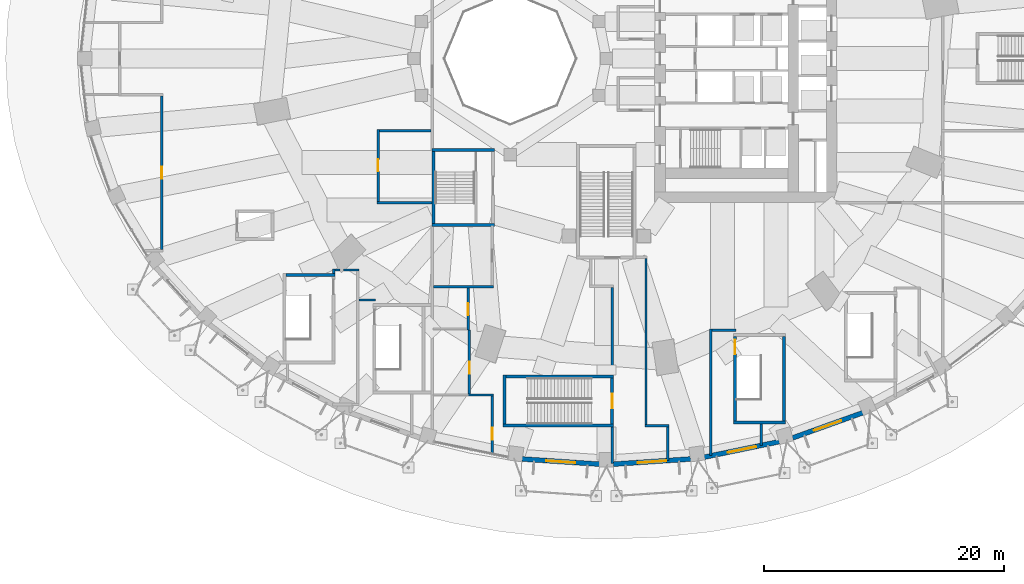
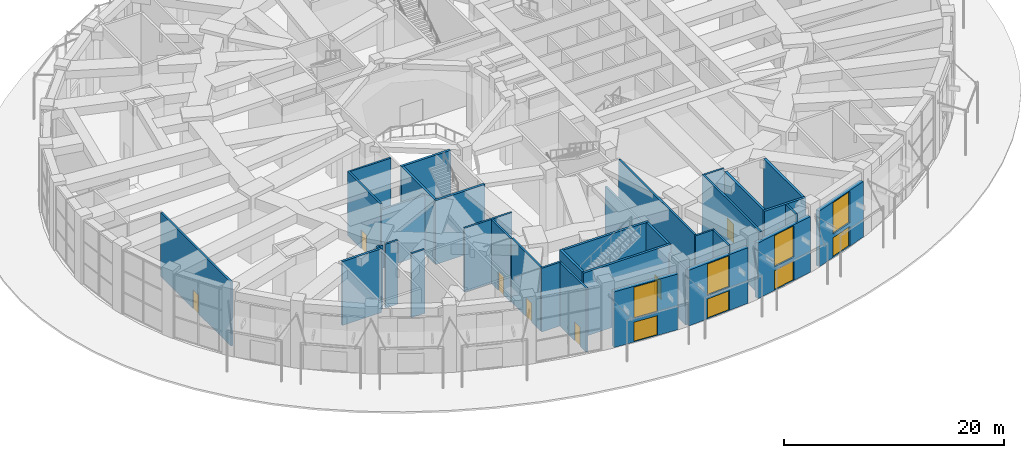
# One storey, part 34 of 60: 36 walls, 11 doors, 4 windows, 15 openings.
"""IFC4 building model written with IfcOpenShell, lengths in metres."""

from ifc_helpers import new_model, si_unit, direction, frame, frame_2d, origin, place, context, subcontext, project, spatial, rectangle, extrude, material, layer, layer_set, type_object, element, fill, save


model = new_model("IFC4")

# Units and contexts
model_context = context("Model", 3, precision=1e-05, world=origin(), true_north=direction((0.0, 1.0)))
body_context = subcontext(model_context, "Body", "Model", "MODEL_VIEW")
ifc_project = project(units=[si_unit("LENGTHUNIT", "METRE"), si_unit("AREAUNIT", "SQUARE_METRE"), si_unit("VOLUMEUNIT", "CUBIC_METRE"), si_unit("PLANEANGLEUNIT", "RADIAN"), si_unit("MASSUNIT", "GRAM", prefix="KILO")], contexts=[model_context])

# Site, building, storey
site_placement = place(None, origin())
site = spatial("IfcSite", under=ifc_project, at=site_placement, CompositionType="ELEMENT")
building_placement = place(site_placement, origin())
building = spatial("IfcBuilding", under=site, at=building_placement, Name="Taillehof Tower", CompositionType="ELEMENT")
storey_placement = place(building_placement, origin())
storey = spatial("IfcBuildingStorey", under=building, at=storey_placement, Name="L00", CompositionType="ELEMENT", Elevation=0.0)

# Wall, openings, door, window
ifc_material_1 = material(Name="Brick masonry", Category="masonry")
ifc_layer_1 = layer(ifc_material_1, 0.39990234375)
ifc_layer_set_1 = layer_set([ifc_layer_1], Name="Brick facade wall 400")
wall_type_1 = type_object("IfcWallType", Name="Brick facade wall 400", PredefinedType="SOLIDWALL", material=ifc_layer_set_1)
wall_1_placement = place(storey_placement, frame((-7.020263671875, -33.326904296875, 0.0), z_axis=(0.0, 0.0, 1.0), x_axis=(0.997740655275, -0.067183218234, 0.0)))
wall_1 = element("IfcWall", 1, at=wall_1_placement, inside=storey, type_object=wall_type_1, Name="Brick wall L00 bay 27", PredefinedType="SOLIDWALL", context=body_context, shape_type="SweptSolid", body=[
    extrude(rectangle(XDim=6.46484375, YDim=0.39990234375, at=frame_2d((3.232421875, 0.0))), origin(), (0.0, 0.0, 1.0), 6.18994140625),
])
opening_1_placement = place(wall_1_placement, frame((2.0322265625, 0.0, 0.0)))
opening_1 = element("IfcOpeningElement", 2, at=opening_1_placement, cuts=wall_1, Name="Opening E5", PredefinedType="OPENING", context=body_context, shape_type="SweptSolid", body=[
    extrude(rectangle(XDim=2.39990234375, YDim=2.199951171875, at=frame_2d((1.199951171875, 1.10009765625))), frame((0.0, 0.2099609375, 0.0), z_axis=(0.0, -1.0, 0.0), x_axis=(1.0, 0.0, 0.0)), (0.0, 0.0, 1.0), 0.419921875),
])
opening_2_placement = place(wall_1_placement, frame((2.0322265625, 0.0, 2.60009765625)))
opening_2 = element("IfcOpeningElement", 3, at=opening_2_placement, cuts=wall_1, Name="Opening FL1", PredefinedType="OPENING", context=body_context, shape_type="SweptSolid", body=[
    extrude(rectangle(XDim=2.39990234375, YDim=3.489990234375, at=frame_2d((1.199951171875, 1.7451171875))), frame((0.0, 0.2099609375, 0.0), z_axis=(0.0, -1.0, 0.0), x_axis=(1.0, 0.0, 0.0)), (0.0, 0.0, 1.0), 0.419921875),
])
ifc_material_2 = material(Name="Aluminium door frame with clear laminated safety glass", Category="aluminium")
door_type_1 = type_object("IfcDoorType", Name="Exit door 2400x2200", OperationType="DOUBLE_DOOR_DOUBLE_SWING", PredefinedType="DOOR", material=ifc_material_2)
door_1_placement = place(opening_1_placement, frame((2.39990234375, 0.0, 0.0), z_axis=(0.0, 0.0, 1.0), x_axis=(-1.0, 0.0, 0.0)))
door_1 = element("IfcDoor", 4, at=door_1_placement, inside=storey, type_object=door_type_1, Name="Door E5", OperationType="DOUBLE_DOOR_SINGLE_SWING", OverallHeight=2.199951171875, OverallWidth=2.39990234375, PredefinedType="DOOR", context=body_context, shape_type="SweptSolid", body=[
    extrude(rectangle(XDim=2.39990234375, YDim=2.199951171875, at=frame_2d((1.199951171875, 1.10009765625))), frame((0.0, 0.0498046875, 0.0), z_axis=(0.0, -1.0, 0.0), x_axis=(1.0, 0.0, 0.0)), (0.0, 0.0, 1.0), 0.050048828125),
])
fill(opening_1, door_1)
ifc_material_3 = material(Name="Aluminium window frame with clear laminated safety glass", Category="aluminium")
window_type = type_object("IfcWindowType", Name="Fixed fanlight 2400x3490", PartitioningType="SINGLE_PANEL", PredefinedType="WINDOW", material=ifc_material_3)
window_1_placement = place(opening_2_placement, origin())
window_1 = element("IfcWindow", 5, at=window_1_placement, inside=storey, type_object=window_type, Name="Fanlight over E5", OverallHeight=3.489990234375, OverallWidth=2.39990234375, PartitioningType="SINGLE_PANEL", PredefinedType="WINDOW", context=body_context, shape_type="SweptSolid", body=[
    extrude(rectangle(XDim=2.39990234375, YDim=3.489990234375, at=frame_2d((1.199951171875, 1.7451171875))), frame((0.0, 0.010009765625, 0.0), z_axis=(0.0, -1.0, 0.0), x_axis=(1.0, 0.0, 0.0)), (0.0, 0.0, 1.0), 0.06005859375),
])
fill(opening_2, window_1)

wall_2_placement = place(storey_placement, frame((0.570068359375, -33.76123046875, 0.0), z_axis=(0.0, 0.0, 1.0), x_axis=(0.997740655275, 0.067183218234, 0.0)))
wall_2 = element("IfcWall", 6, at=wall_2_placement, inside=storey, type_object=wall_type_1, Name="Brick wall L00 bay 28", PredefinedType="SOLIDWALL", context=body_context, shape_type="SweptSolid", body=[
    extrude(rectangle(XDim=6.46484375, YDim=0.39990234375, at=frame_2d((3.232421875, 0.0))), origin(), (0.0, 0.0, 1.0), 6.18994140625),
])
opening_3_placement = place(wall_2_placement, frame((2.032470703125, 0.0, 0.0)))
opening_3 = element("IfcOpeningElement", 7, at=opening_3_placement, cuts=wall_2, Name="Opening E6", PredefinedType="OPENING", context=body_context, shape_type="SweptSolid", body=[
    extrude(rectangle(XDim=2.39990234375, YDim=2.199951171875, at=frame_2d((1.199951171875, 1.10009765625))), frame((0.0, 0.2099609375, 0.0), z_axis=(0.0, -1.0, 0.0), x_axis=(1.0, 0.0, 0.0)), (0.0, 0.0, 1.0), 0.419921875),
])
opening_4_placement = place(wall_2_placement, frame((2.032470703125, 0.0, 2.60009765625)))
opening_4 = element("IfcOpeningElement", 8, at=opening_4_placement, cuts=wall_2, Name="Opening FL1", PredefinedType="OPENING", context=body_context, shape_type="SweptSolid", body=[
    extrude(rectangle(XDim=2.39990234375, YDim=3.489990234375, at=frame_2d((1.199951171875, 1.7451171875))), frame((0.0, 0.2099609375, 0.0), z_axis=(0.0, -1.0, 0.0), x_axis=(1.0, 0.0, 0.0)), (0.0, 0.0, 1.0), 0.419921875),
])
door_2_placement = place(opening_3_placement, frame((2.39990234375, 0.0, 0.0), z_axis=(0.0, 0.0, 1.0), x_axis=(-1.0, 0.0, 0.0)))
door_2 = element("IfcDoor", 9, at=door_2_placement, inside=storey, type_object=door_type_1, Name="Door E6", OperationType="DOUBLE_DOOR_SINGLE_SWING", OverallHeight=2.199951171875, OverallWidth=2.39990234375, PredefinedType="DOOR", context=body_context, shape_type="SweptSolid", body=[
    extrude(rectangle(XDim=2.39990234375, YDim=2.199951171875, at=frame_2d((1.199951171875, 1.10009765625))), frame((0.0, 0.0498046875, 0.0), z_axis=(0.0, -1.0, 0.0), x_axis=(1.0, 0.0, 0.0)), (0.0, 0.0, 1.0), 0.050048828125),
])
fill(opening_3, door_2)
window_2_placement = place(opening_4_placement, origin())
window_2 = element("IfcWindow", 10, at=window_2_placement, inside=storey, type_object=window_type, Name="Fanlight over E6", OverallHeight=3.489990234375, OverallWidth=2.39990234375, PartitioningType="SINGLE_PANEL", PredefinedType="WINDOW", context=body_context, shape_type="SweptSolid", body=[
    extrude(rectangle(XDim=2.39990234375, YDim=3.489990234375, at=frame_2d((1.199951171875, 1.7451171875))), frame((0.0, 0.010009765625, 0.0), z_axis=(0.0, -1.0, 0.0), x_axis=(1.0, 0.0, 0.0)), (0.0, 0.0, 1.0), 0.06005859375),
])
fill(opening_4, window_2)

wall_3_placement = place(storey_placement, frame((8.14990234375, -33.173095703125, 0.0), z_axis=(0.0, 0.0, 1.0), x_axis=(0.979388896242, 0.201983637746, 0.0)))
wall_3 = element("IfcWall", 11, at=wall_3_placement, inside=storey, type_object=wall_type_1, Name="Brick wall L00 bay 29", PredefinedType="SOLIDWALL", context=body_context, shape_type="SweptSolid", body=[
    extrude(rectangle(XDim=6.37353515625, YDim=0.39990234375, at=frame_2d((3.186767578125, 0.0))), origin(), (0.0, 0.0, 1.0), 6.18994140625),
])
opening_5_placement = place(wall_3_placement, frame((1.98681640625, 0.0, 0.0)))
opening_5 = element("IfcOpeningElement", 12, at=opening_5_placement, cuts=wall_3, Name="Opening E7", PredefinedType="OPENING", context=body_context, shape_type="SweptSolid", body=[
    extrude(rectangle(XDim=2.39990234375, YDim=2.199951171875, at=frame_2d((1.199951171875, 1.10009765625))), frame((0.0, 0.2099609375, 0.0), z_axis=(0.0, -1.0, 0.0), x_axis=(1.0, 0.0, 0.0)), (0.0, 0.0, 1.0), 0.419921875),
])
opening_6_placement = place(wall_3_placement, frame((1.98681640625, 0.0, 2.60009765625)))
opening_6 = element("IfcOpeningElement", 13, at=opening_6_placement, cuts=wall_3, Name="Opening FL1", PredefinedType="OPENING", context=body_context, shape_type="SweptSolid", body=[
    extrude(rectangle(XDim=2.39990234375, YDim=3.489990234375, at=frame_2d((1.199951171875, 1.7451171875))), frame((0.0, 0.2099609375, 0.0), z_axis=(0.0, -1.0, 0.0), x_axis=(1.0, 0.0, 0.0)), (0.0, 0.0, 1.0), 0.419921875),
])
door_3_placement = place(opening_5_placement, frame((2.39990234375, 0.0, 0.0), z_axis=(0.0, 0.0, 1.0), x_axis=(-1.0, 0.0, 0.0)))
door_3 = element("IfcDoor", 14, at=door_3_placement, inside=storey, type_object=door_type_1, Name="Door E7", OperationType="DOUBLE_DOOR_SINGLE_SWING", OverallHeight=2.199951171875, OverallWidth=2.39990234375, PredefinedType="DOOR", context=body_context, shape_type="SweptSolid", body=[
    extrude(rectangle(XDim=2.39990234375, YDim=2.199951171875, at=frame_2d((1.199951171875, 1.10009765625))), frame((0.0, 0.0498046875, 0.0), z_axis=(0.0, -1.0, 0.0), x_axis=(1.0, 0.0, 0.0)), (0.0, 0.0, 1.0), 0.050048828125),
])
fill(opening_5, door_3)
window_3_placement = place(opening_6_placement, origin())
window_3 = element("IfcWindow", 15, at=window_3_placement, inside=storey, type_object=window_type, Name="Fanlight over E7", OverallHeight=3.489990234375, OverallWidth=2.39990234375, PartitioningType="SINGLE_PANEL", PredefinedType="WINDOW", context=body_context, shape_type="SweptSolid", body=[
    extrude(rectangle(XDim=2.39990234375, YDim=3.489990234375, at=frame_2d((1.199951171875, 1.7451171875))), frame((0.0, 0.010009765625, 0.0), z_axis=(0.0, -1.0, 0.0), x_axis=(1.0, 0.0, 0.0)), (0.0, 0.0, 1.0), 0.06005859375),
])
fill(opening_6, window_3)

wall_4_placement = place(storey_placement, frame((15.48974609375, -31.5771484375, 0.0), z_axis=(0.0, 0.0, 1.0), x_axis=(0.941225814421, 0.337777983694, 0.0)))
wall_4 = element("IfcWall", 16, at=wall_4_placement, inside=storey, type_object=wall_type_1, Name="Brick wall L00 bay 30", PredefinedType="SOLIDWALL", context=body_context, shape_type="SweptSolid", body=[
    extrude(rectangle(XDim=6.19921875, YDim=0.39990234375, at=frame_2d((3.099609375, 0.0))), origin(), (0.0, 0.0, 1.0), 6.18994140625),
])
opening_7_placement = place(wall_4_placement, frame((1.899658203125, 0.0, 0.0)))
opening_7 = element("IfcOpeningElement", 17, at=opening_7_placement, cuts=wall_4, Name="Opening E8", PredefinedType="OPENING", context=body_context, shape_type="SweptSolid", body=[
    extrude(rectangle(XDim=2.39990234375, YDim=2.199951171875, at=frame_2d((1.199951171875, 1.10009765625))), frame((0.0, 0.2099609375, 0.0), z_axis=(0.0, -1.0, 0.0), x_axis=(1.0, 0.0, 0.0)), (0.0, 0.0, 1.0), 0.419921875),
])
opening_8_placement = place(wall_4_placement, frame((1.899658203125, 0.0, 2.60009765625)))
opening_8 = element("IfcOpeningElement", 18, at=opening_8_placement, cuts=wall_4, Name="Opening FL1", PredefinedType="OPENING", context=body_context, shape_type="SweptSolid", body=[
    extrude(rectangle(XDim=2.39990234375, YDim=3.489990234375, at=frame_2d((1.199951171875, 1.7451171875))), frame((0.0, 0.2099609375, 0.0), z_axis=(0.0, -1.0, 0.0), x_axis=(1.0, 0.0, 0.0)), (0.0, 0.0, 1.0), 0.419921875),
])
door_4_placement = place(opening_7_placement, frame((2.39990234375, 0.0, 0.0), z_axis=(0.0, 0.0, 1.0), x_axis=(-1.0, 0.0, 0.0)))
door_4 = element("IfcDoor", 19, at=door_4_placement, inside=storey, type_object=door_type_1, Name="Door E8", OperationType="DOUBLE_DOOR_SINGLE_SWING", OverallHeight=2.199951171875, OverallWidth=2.39990234375, PredefinedType="DOOR", context=body_context, shape_type="SweptSolid", body=[
    extrude(rectangle(XDim=2.39990234375, YDim=2.199951171875, at=frame_2d((1.199951171875, 1.10009765625))), frame((0.0, 0.0498046875, 0.0), z_axis=(0.0, -1.0, 0.0), x_axis=(1.0, 0.0, 0.0)), (0.0, 0.0, 1.0), 0.050048828125),
])
fill(opening_7, door_4)
window_4_placement = place(opening_8_placement, origin())
window_4 = element("IfcWindow", 20, at=window_4_placement, inside=storey, type_object=window_type, Name="Fanlight over E8", OverallHeight=3.489990234375, OverallWidth=2.39990234375, PartitioningType="SINGLE_PANEL", PredefinedType="WINDOW", context=body_context, shape_type="SweptSolid", body=[
    extrude(rectangle(XDim=2.39990234375, YDim=3.489990234375, at=frame_2d((1.199951171875, 1.7451171875))), frame((0.0, 0.010009765625, 0.0), z_axis=(0.0, -1.0, 0.0), x_axis=(1.0, 0.0, 0.0)), (0.0, 0.0, 1.0), 0.06005859375),
])
fill(opening_8, window_4)

# Walls
ifc_material_4 = material(Name="Calcium silicate blockwork", Category="masonry")
ifc_layer_2 = layer(ifc_material_4, 0.199951171875)
ifc_layer_set_2 = layer_set([ifc_layer_2], Name="Compartment wall EI 60 200 mm")
wall_type_2 = type_object("IfcWallType", Name="Compartment wall EI 60 200 mm", PredefinedType="PARTITIONING", material=ifc_layer_set_2)
wall_5_placement = place(storey_placement, frame((3.199951171875, -30.550048828125, 0.0), z_axis=(0.0, 0.0, 1.0), x_axis=(1.0, 0.0, 0.0)))
element("IfcWall", 21, at=wall_5_placement, inside=storey, type_object=wall_type_2, Name="Wall L00-34 / L00-36", PredefinedType="PARTITIONING", context=body_context, shape_type="SweptSolid", body=[
    extrude(rectangle(XDim=2.0, YDim=0.199951171875, at=frame_2d((1.0, 0.0))), origin(), (0.0, 0.0, 1.0), 7.090087890625),
])
wall_6_placement = place(storey_placement, frame((-11.5, -28.0, 0.0), z_axis=(0.0, 0.0, 1.0), x_axis=(1.0, 0.0, 0.0)))
element("IfcWall", 22, at=wall_6_placement, inside=storey, type_object=wall_type_2, Name="Wall L00-26 / L00-36", PredefinedType="PARTITIONING", context=body_context, shape_type="SweptSolid", body=[
    extrude(rectangle(XDim=2.10009765625, YDim=0.199951171875, at=frame_2d((1.050048828125, 0.0))), origin(), (0.0, 0.0, 1.0), 7.090087890625),
])
wall_7_placement = place(storey_placement, frame((8.800048828125, -22.60009765625, 0.0), z_axis=(0.0, 0.0, 1.0), x_axis=(1.0, 0.0, 0.0)))
element("IfcWall", 23, at=wall_7_placement, inside=storey, type_object=wall_type_2, Name="Wall L00-36 / L00-41", PredefinedType="PARTITIONING", context=body_context, shape_type="SweptSolid", body=[
    extrude(rectangle(XDim=2.0, YDim=0.199951171875, at=frame_2d((1.0, 0.0))), origin(), (0.0, 0.0, 1.0), 7.090087890625),
])
wall_8_placement = place(storey_placement, frame((-20.60009765625, -20.10009765625, 0.0), z_axis=(0.0, 0.0, 1.0), x_axis=(1.0, 0.0, 0.0)))
element("IfcWall", 24, at=wall_8_placement, inside=storey, type_object=wall_type_2, Name="Wall L00-35 / L00-42", PredefinedType="PARTITIONING", context=body_context, shape_type="SweptSolid", body=[
    extrude(rectangle(XDim=1.400146484375, YDim=0.199951171875, at=frame_2d((0.7001953125, 0.0))), origin(), (0.0, 0.0, 1.0), 7.090087890625),
])
wall_9_placement = place(storey_placement, frame((-14.39990234375, -19.0, 0.0), z_axis=(0.0, 0.0, 1.0), x_axis=(1.0, 0.0, 0.0)))
element("IfcWall", 25, at=wall_9_placement, inside=storey, type_object=wall_type_2, Name="Wall L00-21 / L00-24", PredefinedType="PARTITIONING", context=body_context, shape_type="SweptSolid", body=[
    extrude(rectangle(XDim=5.0, YDim=0.199951171875, at=frame_2d((2.5, 0.0))), origin(), (0.0, 0.0, 1.0), 7.090087890625),
])
wall_10_placement = place(storey_placement, frame((-22.60009765625, -17.60009765625, 0.0), z_axis=(0.0, 0.0, 1.0), x_axis=(1.0, 0.0, 0.0)))
element("IfcWall", 26, at=wall_10_placement, inside=storey, type_object=wall_type_2, Name="Wall L00-35 / L00-39", PredefinedType="PARTITIONING", context=body_context, shape_type="SweptSolid", body=[
    extrude(rectangle(XDim=0.419921875, YDim=0.199951171875, at=frame_2d((0.2099609375, 0.0))), origin(), (0.0, 0.0, 1.0), 7.090087890625),
])
wall_11_placement = place(storey_placement, frame((-21.88720703125, -17.60009765625, 0.0), z_axis=(0.0, 0.0, 1.0), x_axis=(1.0, 0.0, 0.0)))
element("IfcWall", 27, at=wall_11_placement, inside=storey, type_object=wall_type_2, Name="Wall L00-35 / L00-39", PredefinedType="PARTITIONING", context=body_context, shape_type="SweptSolid", body=[
    extrude(rectangle(XDim=1.287109375, YDim=0.199951171875, at=frame_2d((0.6435546875, 0.0))), origin(), (0.0, 0.0, 1.0), 7.090087890625),
])
wall_12_placement = place(storey_placement, frame((-19.10009765625, -12.0, 0.0), z_axis=(0.0, 0.0, 1.0), x_axis=(1.0, 0.0, 0.0)))
element("IfcWall", 28, at=wall_12_placement, inside=storey, type_object=wall_type_2, Name="Wall L00-19 / L00-35", PredefinedType="PARTITIONING", context=body_context, shape_type="SweptSolid", body=[
    extrude(rectangle(XDim=4.60205078125, YDim=0.199951171875, at=frame_2d((2.301025390625, 0.0))), origin(), (0.0, 0.0, 1.0), 6.5400390625),
])
wall_13_placement = place(storey_placement, frame((-18.89990234375, -6.0, 0.0), z_axis=(0.0, 0.0, 1.0), x_axis=(1.0, 0.0, 0.0)))
element("IfcWall", 29, at=wall_13_placement, inside=storey, type_object=wall_type_2, Name="Wall L00-19 / L00-35", PredefinedType="PARTITIONING", context=body_context, shape_type="SweptSolid", body=[
    extrude(rectangle(XDim=4.2998046875, YDim=0.199951171875, at=frame_2d((2.14990234375, 0.0))), origin(), (0.0, 0.0, 1.0), 7.090087890625),
])

# Wall, opening, door
wall_14_placement = place(storey_placement, frame((-37.0, -15.89990234375, 0.0), z_axis=(0.0, 0.0, 1.0), x_axis=(0.0, 1.0, 0.0)))
wall_14 = element("IfcWall", 30, at=wall_14_placement, inside=storey, type_object=wall_type_2, Name="Wall L00-16 / L00-35", PredefinedType="PARTITIONING", context=body_context, shape_type="SweptSolid", body=[
    extrude(rectangle(XDim=12.7998046875, YDim=0.199951171875, at=frame_2d((6.39990234375, 0.0))), origin(), (0.0, 0.0, 1.0), 7.090087890625),
])
opening_9_placement = place(wall_14_placement, frame((5.89990234375, 0.0, 0.0)))
opening_9 = element("IfcOpeningElement", 31, at=opening_9_placement, cuts=wall_14, Name="Opening D0055", PredefinedType="OPENING", context=body_context, shape_type="SweptSolid", body=[
    extrude(rectangle(XDim=1.0, YDim=2.10009765625, at=frame_2d((0.5, 1.050048828125))), frame((0.0, 0.10986328125, 0.0), z_axis=(0.0, -1.0, 0.0), x_axis=(1.0, 0.0, 0.0)), (0.0, 0.0, 1.0), 0.219970703125),
])
ifc_material_5 = material(Name="Hollow metal door set")
door_type_2 = type_object("IfcDoorType", Name="Single door 1000 x 2100 FD60S", OperationType="SINGLE_SWING_LEFT", PredefinedType="DOOR", material=ifc_material_5)
door_5_placement = place(opening_9_placement, origin())
door_5 = element("IfcDoor", 32, at=door_5_placement, inside=storey, type_object=door_type_2, Name="Door D0055", OperationType="SINGLE_SWING_RIGHT", OverallHeight=2.10009765625, OverallWidth=1.0, PredefinedType="DOOR", context=body_context, shape_type="SweptSolid", body=[
    extrude(rectangle(XDim=1.0, YDim=2.10009765625, at=frame_2d((0.5, 1.050048828125))), frame((0.0, 0.02490234375, 0.0), z_axis=(0.0, -1.0, 0.0), x_axis=(1.0, 0.0, 0.0)), (0.0, 0.0, 1.0), 0.050048828125),
])
fill(opening_9, door_5)

# Wall
wall_15_placement = place(storey_placement, frame((-22.699951171875, -17.875, 0.0), z_axis=(0.0, 0.0, 1.0), x_axis=(0.0, 1.0, 0.0)))
element("IfcWall", 33, at=wall_15_placement, inside=storey, type_object=wall_type_2, Name="Wall L00-35 / L00-39", PredefinedType="PARTITIONING", context=body_context, shape_type="SweptSolid", body=[
    extrude(rectangle(XDim=0.375, YDim=0.199951171875, at=frame_2d((0.1875, 0.0))), origin(), (0.0, 0.0, 1.0), 7.090087890625),
])

# Wall, opening, door
wall_16_placement = place(storey_placement, frame((-19.0, -11.89990234375, 0.0), z_axis=(0.0, 0.0, 1.0), x_axis=(0.0, 1.0, 0.0)))
wall_16 = element("IfcWall", 34, at=wall_16_placement, inside=storey, type_object=wall_type_2, Name="Wall L00-19 / L00-35", PredefinedType="PARTITIONING", context=body_context, shape_type="SweptSolid", body=[
    extrude(rectangle(XDim=6.0, YDim=0.199951171875, at=frame_2d((3.0, 0.0))), origin(), (0.0, 0.0, 1.0), 7.090087890625),
])
opening_10_placement = place(wall_16_placement, frame((2.5, 0.0, 0.0)))
opening_10 = element("IfcOpeningElement", 35, at=opening_10_placement, cuts=wall_16, Name="Opening D0056", PredefinedType="OPENING", context=body_context, shape_type="SweptSolid", body=[
    extrude(rectangle(XDim=1.0, YDim=2.10009765625, at=frame_2d((0.5, 1.050048828125))), frame((0.0, 0.10986328125, 0.0), z_axis=(0.0, -1.0, 0.0), x_axis=(1.0, 0.0, 0.0)), (0.0, 0.0, 1.0), 0.219970703125),
])
door_6_placement = place(opening_10_placement, origin())
door_6 = element("IfcDoor", 36, at=door_6_placement, inside=storey, type_object=door_type_2, Name="Door D0056", OperationType="SINGLE_SWING_LEFT", OverallHeight=2.10009765625, OverallWidth=1.0, PredefinedType="DOOR", context=body_context, shape_type="SweptSolid", body=[
    extrude(rectangle(XDim=1.0, YDim=2.10009765625, at=frame_2d((0.5, 1.050048828125))), frame((0.0, 0.02490234375, 0.0), z_axis=(0.0, -1.0, 0.0), x_axis=(1.0, 0.0, 0.0)), (0.0, 0.0, 1.0), 0.050048828125),
])
fill(opening_10, door_6)

wall_17_placement = place(storey_placement, frame((-11.5, -22.60009765625, 0.0), z_axis=(0.0, 0.0, 1.0), x_axis=(0.0, 1.0, 0.0)))
wall_17 = element("IfcWall", 37, at=wall_17_placement, inside=storey, type_object=wall_type_2, Name="Wall L00-24 / L00-36", PredefinedType="PARTITIONING", context=body_context, shape_type="SweptSolid", body=[
    extrude(rectangle(XDim=3.5, YDim=0.199951171875, at=frame_2d((1.75, 0.0))), origin(), (0.0, 0.0, 1.0), 7.090087890625),
])
opening_11_placement = place(wall_17_placement, frame((1.25, 0.0, 0.0)))
opening_11 = element("IfcOpeningElement", 38, at=opening_11_placement, cuts=wall_17, Name="Opening D0046", PredefinedType="OPENING", context=body_context, shape_type="SweptSolid", body=[
    extrude(rectangle(XDim=1.0, YDim=2.10009765625, at=frame_2d((0.5, 1.050048828125))), frame((0.0, 0.10986328125, 0.0), z_axis=(0.0, -1.0, 0.0), x_axis=(1.0, 0.0, 0.0)), (0.0, 0.0, 1.0), 0.219970703125),
])
door_7_placement = place(opening_11_placement, origin())
door_7 = element("IfcDoor", 39, at=door_7_placement, inside=storey, type_object=door_type_2, Name="Door D0046", OperationType="SINGLE_SWING_LEFT", OverallHeight=2.10009765625, OverallWidth=1.0, PredefinedType="DOOR", context=body_context, shape_type="SweptSolid", body=[
    extrude(rectangle(XDim=1.0, YDim=2.10009765625, at=frame_2d((0.5, 1.050048828125))), frame((0.0, 0.02490234375, 0.0), z_axis=(0.0, -1.0, 0.0), x_axis=(1.0, 0.0, 0.0)), (0.0, 0.0, 1.0), 0.050048828125),
])
fill(opening_11, door_7)

wall_18_placement = place(storey_placement, frame((-11.39990234375, -27.89990234375, 0.0), z_axis=(0.0, 0.0, 1.0), x_axis=(0.0, 1.0, 0.0)))
wall_18 = element("IfcWall", 40, at=wall_18_placement, inside=storey, type_object=wall_type_2, Name="Wall L00-25 / L00-36", PredefinedType="PARTITIONING", context=body_context, shape_type="SweptSolid", body=[
    extrude(rectangle(XDim=5.2998046875, YDim=0.199951171875, at=frame_2d((2.64990234375, 0.0))), origin(), (0.0, 0.0, 1.0), 7.090087890625),
])
opening_12_placement = place(wall_18_placement, frame((1.64990234375, 0.0, 0.0)))
opening_12 = element("IfcOpeningElement", 41, at=opening_12_placement, cuts=wall_18, Name="Opening D0043", PredefinedType="OPENING", context=body_context, shape_type="SweptSolid", body=[
    extrude(rectangle(XDim=1.0, YDim=2.10009765625, at=frame_2d((0.5, 1.050048828125))), frame((0.0, 0.10986328125, 0.0), z_axis=(0.0, -1.0, 0.0), x_axis=(1.0, 0.0, 0.0)), (0.0, 0.0, 1.0), 0.219970703125),
])
door_8_placement = place(opening_12_placement, origin())
door_8 = element("IfcDoor", 42, at=door_8_placement, inside=storey, type_object=door_type_2, Name="Door D0043", OperationType="SINGLE_SWING_LEFT", OverallHeight=2.10009765625, OverallWidth=1.0, PredefinedType="DOOR", context=body_context, shape_type="SweptSolid", body=[
    extrude(rectangle(XDim=1.0, YDim=2.10009765625, at=frame_2d((0.5, 1.050048828125))), frame((0.0, 0.02490234375, 0.0), z_axis=(0.0, -1.0, 0.0), x_axis=(1.0, 0.0, 0.0)), (0.0, 0.0, 1.0), 0.050048828125),
])
fill(opening_12, door_8)

wall_19_placement = place(storey_placement, frame((-9.5, -32.880615234375, 0.0), z_axis=(0.0, 0.0, 1.0), x_axis=(0.0, 1.0, 0.0)))
wall_19 = element("IfcWall", 43, at=wall_19_placement, inside=storey, type_object=wall_type_2, Name="Wall L00-26 / L00-36", PredefinedType="PARTITIONING", context=body_context, shape_type="SweptSolid", body=[
    extrude(rectangle(XDim=4.780517578125, YDim=0.199951171875, at=frame_2d((2.39013671875, 0.0))), origin(), (0.0, 0.0, 1.0), 7.090087890625),
])
opening_13_placement = place(wall_19_placement, frame((1.140380859375, 0.0, 0.0)))
opening_13 = element("IfcOpeningElement", 44, at=opening_13_placement, cuts=wall_19, Name="Opening D0041", PredefinedType="OPENING", context=body_context, shape_type="SweptSolid", body=[
    extrude(rectangle(XDim=1.0, YDim=2.10009765625, at=frame_2d((0.5, 1.050048828125))), frame((0.0, 0.10986328125, 0.0), z_axis=(0.0, -1.0, 0.0), x_axis=(1.0, 0.0, 0.0)), (0.0, 0.0, 1.0), 0.219970703125),
])
door_9_placement = place(opening_13_placement, origin())
door_9 = element("IfcDoor", 45, at=door_9_placement, inside=storey, type_object=door_type_2, Name="Door D0041", OperationType="SINGLE_SWING_RIGHT", OverallHeight=2.10009765625, OverallWidth=1.0, PredefinedType="DOOR", context=body_context, shape_type="SweptSolid", body=[
    extrude(rectangle(XDim=1.0, YDim=2.10009765625, at=frame_2d((0.5, 1.050048828125))), frame((0.0, 0.02490234375, 0.0), z_axis=(0.0, -1.0, 0.0), x_axis=(1.0, 0.0, 0.0)), (0.0, 0.0, 1.0), 0.050048828125),
])
fill(opening_13, door_9)

# Walls
wall_20_placement = place(storey_placement, frame((0.485107421875, -33.689208984375, 0.0), z_axis=(0.0, 0.0, 1.0), x_axis=(0.0, 1.0, 0.0)))
element("IfcWall", 46, at=wall_20_placement, inside=storey, type_object=wall_type_2, Name="Wall L00-34 / L00-36", PredefinedType="PARTITIONING", context=body_context, shape_type="SweptSolid", body=[
    extrude(rectangle(XDim=3.01416015625, YDim=0.199951171875, at=frame_2d((1.507080078125, 0.0))), origin(), (0.0, 0.0, 1.0), 6.18994140625),
])
wall_21_placement = place(storey_placement, frame((0.485107421875, -26.324951171875, 0.0), z_axis=(0.0, 0.0, 1.0), x_axis=(0.0, 1.0, 0.0)))
element("IfcWall", 47, at=wall_21_placement, inside=storey, type_object=wall_type_2, Name="Wall L00-34 / L00-36", PredefinedType="PARTITIONING", context=body_context, shape_type="SweptSolid", body=[
    extrude(rectangle(XDim=7.280029296875, YDim=0.199951171875, at=frame_2d((3.64013671875, 0.0))), origin(), (0.0, 0.0, 1.0), 6.5400390625),
])
wall_22_placement = place(storey_placement, frame((3.300048828125, -30.449951171875, 0.0), z_axis=(0.0, 0.0, 1.0), x_axis=(0.0, 1.0, 0.0)))
element("IfcWall", 48, at=wall_22_placement, inside=storey, type_object=wall_type_2, Name="Wall L00-34 / L00-36", PredefinedType="PARTITIONING", context=body_context, shape_type="SweptSolid", body=[
    extrude(rectangle(XDim=13.804931640625, YDim=0.199951171875, at=frame_2d((6.90234375, 0.0))), origin(), (0.0, 0.0, 1.0), 7.090087890625),
])
wall_23_placement = place(storey_placement, frame((5.10009765625, -33.452880859375, 0.0), z_axis=(0.0, 0.0, 1.0), x_axis=(0.0, 1.0, 0.0)))
element("IfcWall", 49, at=wall_23_placement, inside=storey, type_object=wall_type_2, Name="Wall L00-34 / L00-36", PredefinedType="PARTITIONING", context=body_context, shape_type="SweptSolid", body=[
    extrude(rectangle(XDim=2.802978515625, YDim=0.199951171875, at=frame_2d((1.4013671875, 0.0))), origin(), (0.0, 0.0, 1.0), 7.090087890625),
])
wall_24_placement = place(storey_placement, frame((8.699951171875, -33.01708984375, 0.0), z_axis=(0.0, 0.0, 1.0), x_axis=(0.0, 1.0, 0.0)))
element("IfcWall", 50, at=wall_24_placement, inside=storey, type_object=wall_type_2, Name="Wall L00-36 / L00-41", PredefinedType="PARTITIONING", context=body_context, shape_type="SweptSolid", body=[
    extrude(rectangle(XDim=10.51708984375, YDim=0.199951171875, at=frame_2d((5.258544921875, 0.0))), origin(), (0.0, 0.0, 1.0), 7.090087890625),
])
wall_25_placement = place(storey_placement, frame((12.898681640625, -32.192138671875, 0.0), z_axis=(0.0, 0.0, 1.0), x_axis=(0.0, 1.0, 0.0)))
element("IfcWall", 51, at=wall_25_placement, inside=storey, type_object=wall_type_2, Name="Wall L00-36 / L00-41", PredefinedType="PARTITIONING", context=body_context, shape_type="SweptSolid", body=[
    extrude(rectangle(XDim=1.777099609375, YDim=0.199951171875, at=frame_2d((0.888671875, 0.0))), origin(), (0.0, 0.0, 1.0), 7.090087890625),
])
ifc_material_6 = material(Name="Concrete C50/60", Category="concrete")
ifc_layer_3 = layer(ifc_material_6, 0.25)
ifc_layer_set_3 = layer_set([ifc_layer_3], Name="Stair wall C50/60 250")
wall_type_3 = type_object("IfcWallType", Name="Stair wall C50/60 250", PredefinedType="SHEAR", material=ifc_layer_set_3)
wall_26_placement = place(storey_placement, frame((-14.375, -13.75, 0.0), z_axis=(0.0, 0.0, 1.0), x_axis=(0.0, 1.0, 0.0)))
element("IfcWall", 52, at=wall_26_placement, inside=storey, type_object=wall_type_3, Name="Stair wall SC", PredefinedType="SHEAR", context=body_context, shape_type="SweptSolid", body=[
    extrude(rectangle(XDim=6.0, YDim=0.25, at=frame_2d((3.0, 0.0))), origin(), (0.0, 0.0, 1.0), 7.090087890625),
])
for number, where, z_axis, x_axis, name in (
    (53, (-14.5, -7.625, 0.0), (0.0, 0.0, 1.0), (1.0, 0.0, 0.0), "Stair wall SC"),
    (54, (-14.5, -13.875, 0.0), (0.0, 0.0, 1.0), (1.0, 0.0, 0.0), "Stair wall SC"),
):
    element("IfcWall", number, at=place(storey_placement, frame(where, z_axis=z_axis, x_axis=x_axis)), inside=storey, type_object=wall_type_3, Name=name, PredefinedType="SHEAR", context=body_context, shape_type="SweptSolid", body=[
        extrude(rectangle(XDim=5.199951171875, YDim=0.25, at=frame_2d((2.60009765625, 0.0))), origin(), (0.0, 0.0, 1.0), 7.090087890625),
    ])
ifc_material_7 = material(Name="Concrete C40/50", Category="concrete")
ifc_layer_4 = layer(ifc_material_7, 0.25)
ifc_layer_set_4 = layer_set([ifc_layer_4], Name="Stair wall EI 120 250 mm")
wall_type_4 = type_object("IfcWallType", Name="Stair wall EI 120 250 mm", PredefinedType="SOLIDWALL", material=ifc_layer_set_4)
wall_27_placement = place(storey_placement, frame((-8.610107421875, -30.550048828125, 0.0), z_axis=(0.0, 0.0, 1.0), x_axis=(1.0, 0.0, 0.0)))
element("IfcWall", 55, at=wall_27_placement, inside=storey, type_object=wall_type_4, Name="Wall L00-04 / L00-36", PredefinedType="SOLIDWALL", context=body_context, shape_type="SweptSolid", body=[
    extrude(rectangle(XDim=9.22021484375, YDim=0.25, at=frame_2d((4.610107421875, 0.0))), origin(), (0.0, 0.0, 1.0), 7.090087890625),
])
wall_28_placement = place(storey_placement, frame((10.574951171875, -30.2900390625, 0.0), z_axis=(0.0, 0.0, 1.0), x_axis=(1.0, 0.0, 0.0)))
element("IfcWall", 56, at=wall_28_placement, inside=storey, type_object=wall_type_4, Name="Wall L00-11 / L00-41", PredefinedType="SOLIDWALL", context=body_context, shape_type="SweptSolid", body=[
    extrude(rectangle(XDim=4.35009765625, YDim=0.25, at=frame_2d((2.175048828125, 0.0))), origin(), (0.0, 0.0, 1.0), 7.090087890625),
])
wall_29_placement = place(storey_placement, frame((-8.360107421875, -26.449951171875, 0.0), z_axis=(0.0, 0.0, 1.0), x_axis=(1.0, 0.0, 0.0)))
element("IfcWall", 57, at=wall_29_placement, inside=storey, type_object=wall_type_4, Name="Wall L00-04 / L00-36", PredefinedType="SOLIDWALL", context=body_context, shape_type="SweptSolid", body=[
    extrude(rectangle(XDim=8.97021484375, YDim=0.25, at=frame_2d((4.485107421875, 0.0))), origin(), (0.0, 0.0, 1.0), 7.090087890625),
])
for number, where, z_axis, x_axis, name in (
    (58, (-26.675048828125, -18.0, 0.0), (0.0, 0.0, 1.0), (1.0, 0.0, 0.0), "Wall L00-07 / L00-35"),
    (59, (-8.485107421875, -30.425048828125, 0.0), (0.0, 0.0, 1.0), (0.0, 1.0, 0.0), "Wall L00-04 / L00-36"),
):
    element("IfcWall", number, at=place(storey_placement, frame(where, z_axis=z_axis, x_axis=x_axis)), inside=storey, type_object=wall_type_4, Name=name, PredefinedType="SOLIDWALL", context=body_context, shape_type="SweptSolid", body=[
        extrude(rectangle(XDim=4.10009765625, YDim=0.25, at=frame_2d((2.050048828125, 0.0))), origin(), (0.0, 0.0, 1.0), 7.090087890625),
    ])

# Wall, opening, door
wall_30_placement = place(storey_placement, frame((0.485107421875, -30.425048828125, 0.0), z_axis=(0.0, 0.0, 1.0), x_axis=(0.0, 1.0, 0.0)))
wall_30 = element("IfcWall", 60, at=wall_30_placement, inside=storey, type_object=wall_type_4, Name="Wall L00-04 / L00-34", PredefinedType="SOLIDWALL", context=body_context, shape_type="SweptSolid", body=[
    extrude(rectangle(XDim=3.85009765625, YDim=0.25, at=frame_2d((1.925048828125, 0.0))), origin(), (0.0, 0.0, 1.0), 7.090087890625),
])
opening_14_placement = place(wall_30_placement, frame((1.324951171875, 0.0, 0.0)))
opening_14 = element("IfcOpeningElement", 61, at=opening_14_placement, cuts=wall_30, Name="Opening D0042", PredefinedType="OPENING", context=body_context, shape_type="SweptSolid", body=[
    extrude(rectangle(XDim=1.199951171875, YDim=2.10009765625, at=frame_2d((0.60009765625, 1.050048828125))), frame((0.0, 0.135009765625, 0.0), z_axis=(0.0, -1.0, 0.0), x_axis=(1.0, 0.0, 0.0)), (0.0, 0.0, 1.0), 0.27001953125),
])
ifc_material_8 = material(Name="Hollow metal door set")
door_type_3 = type_object("IfcDoorType", Name="Single door 1200 x 2100 FD120S", OperationType="SINGLE_SWING_LEFT", PredefinedType="DOOR", material=ifc_material_8)
door_10_placement = place(opening_14_placement, origin())
door_10 = element("IfcDoor", 62, at=door_10_placement, inside=storey, type_object=door_type_3, Name="Door D0042", OperationType="SINGLE_SWING_RIGHT", OverallHeight=2.10009765625, OverallWidth=1.199951171875, PredefinedType="DOOR", context=body_context, shape_type="SweptSolid", body=[
    extrude(rectangle(XDim=1.199951171875, YDim=2.10009765625, at=frame_2d((0.60009765625, 1.050048828125))), frame((0.0, 0.02490234375, 0.0), z_axis=(0.0, -1.0, 0.0), x_axis=(1.0, 0.0, 0.0)), (0.0, 0.0, 1.0), 0.050048828125),
])
fill(opening_14, door_10)

wall_31_placement = place(storey_placement, frame((10.699951171875, -30.1650390625, 0.0), z_axis=(0.0, 0.0, 1.0), x_axis=(0.0, 1.0, 0.0)))
wall_31 = element("IfcWall", 63, at=wall_31_placement, inside=storey, type_object=wall_type_4, Name="Wall L00-11 / L00-41", PredefinedType="SOLIDWALL", context=body_context, shape_type="SweptSolid", body=[
    extrude(rectangle(XDim=7.0400390625, YDim=0.25, at=frame_2d((3.52001953125, 0.0))), origin(), (0.0, 0.0, 1.0), 7.090087890625),
])
opening_15_placement = place(wall_31_placement, frame((5.56494140625, 0.0, 0.0)))
opening_15 = element("IfcOpeningElement", 64, at=opening_15_placement, cuts=wall_31, Name="Opening D0044", PredefinedType="OPENING", context=body_context, shape_type="SweptSolid", body=[
    extrude(rectangle(XDim=1.199951171875, YDim=2.10009765625, at=frame_2d((0.60009765625, 1.050048828125))), frame((0.0, 0.135009765625, 0.0), z_axis=(0.0, -1.0, 0.0), x_axis=(1.0, 0.0, 0.0)), (0.0, 0.0, 1.0), 0.27001953125),
])
door_11_placement = place(opening_15_placement, origin())
door_11 = element("IfcDoor", 65, at=door_11_placement, inside=storey, type_object=door_type_3, Name="Door D0044", OperationType="SINGLE_SWING_LEFT", OverallHeight=2.10009765625, OverallWidth=1.199951171875, PredefinedType="DOOR", context=body_context, shape_type="SweptSolid", body=[
    extrude(rectangle(XDim=1.199951171875, YDim=2.10009765625, at=frame_2d((0.60009765625, 1.050048828125))), frame((0.0, 0.02490234375, 0.0), z_axis=(0.0, -1.0, 0.0), x_axis=(1.0, 0.0, 0.0)), (0.0, 0.0, 1.0), 0.050048828125),
])
fill(opening_15, door_11)

# Wall
wall_32_placement = place(storey_placement, frame((14.800048828125, -30.1650390625, 0.0), z_axis=(0.0, 0.0, 1.0), x_axis=(0.0, 1.0, 0.0)))
element("IfcWall", 66, at=wall_32_placement, inside=storey, type_object=wall_type_4, Name="Wall L00-11 / L00-36", PredefinedType="SOLIDWALL", context=body_context, shape_type="SweptSolid", body=[
    extrude(rectangle(XDim=7.0400390625, YDim=0.25, at=frame_2d((3.52001953125, 0.0))), origin(), (0.0, 0.0, 1.0), 7.090087890625),
])

save(model, "model.ifc")
